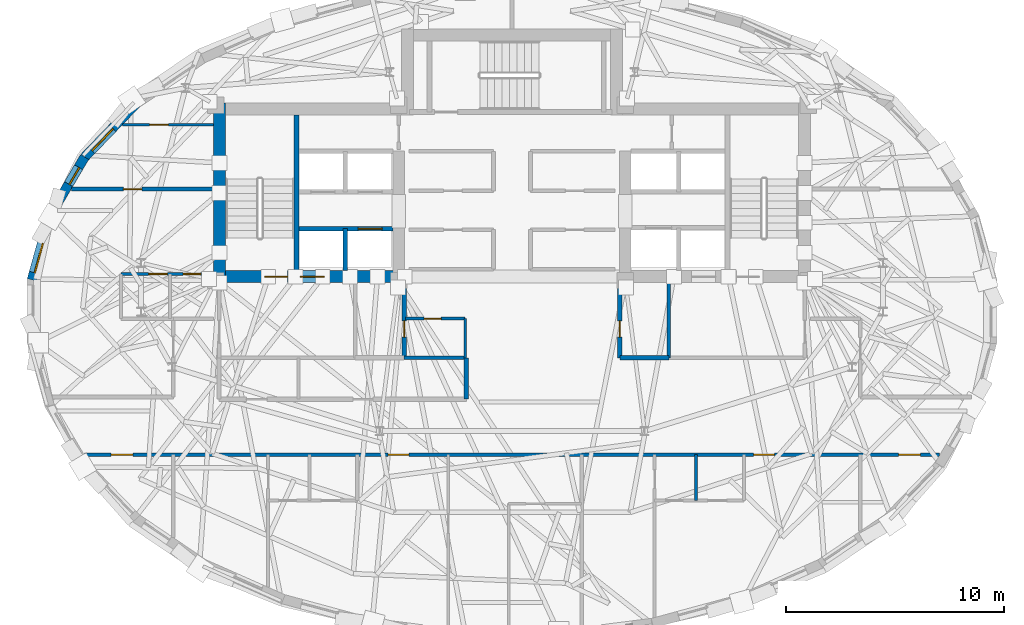
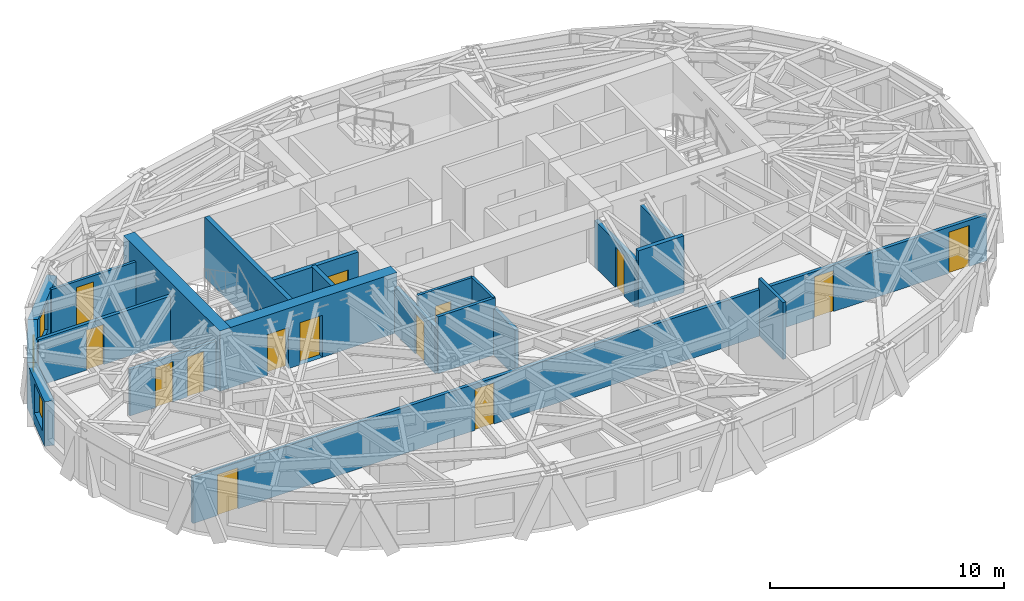
# One storey, part 7 of 13: 21 walls, 14 doors, 3 windows, 17 openings.
"""IFC4 building model written with IfcOpenShell, lengths in metres."""

from ifc_helpers import new_model, si_unit, direction, frame, frame_2d, origin, place, context, subcontext, project, spatial, rectangle, extrude, material, layer, layer_set, type_object, element, fill, save


model = new_model("IFC4")

# Units and contexts
model_context = context("Model", 3, precision=1e-05, world=origin(), true_north=direction((0.0, 1.0)))
body_context = subcontext(model_context, "Body", "Model", "MODEL_VIEW")
ifc_project = project(units=[si_unit("LENGTHUNIT", "METRE"), si_unit("AREAUNIT", "SQUARE_METRE"), si_unit("VOLUMEUNIT", "CUBIC_METRE"), si_unit("PLANEANGLEUNIT", "RADIAN"), si_unit("MASSUNIT", "GRAM", prefix="KILO")], contexts=[model_context])

# Site, building, storey
site_placement = place(None, origin())
site = spatial("IfcSite", under=ifc_project, at=site_placement, CompositionType="ELEMENT")
building_placement = place(site_placement, origin())
building = spatial("IfcBuilding", under=site, at=building_placement, Name="Keldmark Tower", CompositionType="ELEMENT")
storey_placement = place(building_placement, frame((0.0, 0.0, 232.050048828125)))
storey = spatial("IfcBuildingStorey", under=building, at=storey_placement, Name="L65", CompositionType="ELEMENT", Elevation=232.050048828125)

# Walls
ifc_material_1 = material(Name="Heavy Acoustic Plumbing Chase Gypsum Assembly", Category="gypsum")
ifc_layer_1 = layer(ifc_material_1, 0.18994140625)
ifc_layer_set_1 = layer_set([ifc_layer_1], Name="Heavy Acoustic Plumbing Chase Gypsum Assembly")
wall_type_1 = type_object("IfcWallType", Name="Heavy Wet Wall 190 mm", PredefinedType="PLUMBINGWALL", material=ifc_layer_set_1)
wall_1_placement = place(storey_placement, frame((-2.10009765625, -4.050048828125, 0.0), z_axis=(0.0, 0.0, 1.0), x_axis=(0.0, 1.0, 0.0)))
element("IfcWall", 1, at=wall_1_placement, inside=storey, type_object=wall_type_1, Name="L65 Heavy Wet Wall 190 mm SPK-W-E", PredefinedType="PLUMBINGWALL", context=body_context, shape_type="SweptSolid", body=[
    extrude(rectangle(XDim=1.900146484375, YDim=0.18994140625, at=frame_2d((0.9501953125, 0.0))), origin(), (0.0, 0.0, 1.0), 2.4228515625),
])
ifc_material_2 = material(Name="Concrete C50/60", Category="concrete")
ifc_layer_2 = layer(ifc_material_2, 0.550048828125)
ifc_layer_set_2 = layer_set([ifc_layer_2], Name="Concrete C50/60")
wall_type_2 = type_object("IfcWallType", Name="High-Rise Core Shear Wall 550 mm", PredefinedType="SHEAR", material=ifc_layer_set_2)
wall_2_placement = place(storey_placement, frame((-13.425048828125, 1.300048828125, 0.0), z_axis=(0.0, 0.0, 1.0), x_axis=(0.0, 1.0, 0.0)))
element("IfcWall", 2, at=wall_2_placement, inside=storey, type_object=wall_type_2, Name="L65 West Core Outer Shear Wall", PredefinedType="SHEAR", context=body_context, shape_type="SweptSolid", body=[
    extrude(rectangle(XDim=8.25, YDim=0.550048828125, at=frame_2d((4.125, 0.0))), origin(), (0.0, 0.0, 1.0), 3.14990234375),
])

# Wall, openings, doors
wall_3_placement = place(storey_placement, frame((-4.925048828125, 1.574951171875, 0.0), z_axis=(0.0, 0.0, 1.0), x_axis=(-1.0, 0.0, 0.0)))
wall_3 = element("IfcWall", 3, at=wall_3_placement, inside=storey, type_object=wall_type_2, Name="L65 West Core South Shear Wall", PredefinedType="SHEAR", context=body_context, shape_type="SweptSolid", body=[
    extrude(rectangle(XDim=8.77490234375, YDim=0.550048828125, at=frame_2d((4.387451171875, 0.0))), origin(), (0.0, 0.0, 1.0), 3.14990234375),
])
opening_1_placement = place(wall_3_placement, frame((5.375, 0.0, 0.0)))
opening_1 = element("IfcOpeningElement", 4, at=opening_1_placement, cuts=wall_3, Name="Opening D-ST105", PredefinedType="OPENING", context=body_context, shape_type="SweptSolid", body=[
    extrude(rectangle(XDim=1.050048828125, YDim=2.14990234375, at=frame_2d((0.52490234375, 1.074951171875))), frame((0.0, 0.284912109375, 0.0), z_axis=(0.0, -1.0, 0.0), x_axis=(1.0, 0.0, 0.0)), (0.0, 0.0, 1.0), 0.570068359375),
])
opening_2_placement = place(wall_3_placement, frame((3.705078125, 0.0, 0.0)))
opening_2 = element("IfcOpeningElement", 5, at=opening_2_placement, cuts=wall_3, Name="Opening LD-110", PredefinedType="OPENING", context=body_context, shape_type="SweptSolid", body=[
    extrude(rectangle(XDim=1.10009765625, YDim=2.199951171875, at=frame_2d((0.550048828125, 1.10009765625))), frame((0.0, 0.284912109375, 0.0), z_axis=(0.0, -1.0, 0.0), x_axis=(1.0, 0.0, 0.0)), (0.0, 0.0, 1.0), 0.570068359375),
])
ifc_material_3 = material(Name="Brushed Bronze Hoistway Sliding Leaf", Category="metal")
door_type_1 = type_object("IfcDoorType", Name="Lift Landing Sliding Door 1100x2200", OperationType="SLIDING_TO_LEFT", PredefinedType="DOOR", material=ifc_material_3)
door_1_placement = place(opening_2_placement, origin())
door_1 = element("IfcDoor", 6, at=door_1_placement, inside=storey, type_object=door_type_1, Name="L65 Lift Landing Sliding Door 1100x2200 LD-EL-FS1-L65", OperationType="SLIDING_TO_LEFT", OverallHeight=2.199951171875, OverallWidth=1.10009765625, PredefinedType="DOOR", context=body_context, shape_type="SweptSolid", body=[
    extrude(rectangle(XDim=1.10009765625, YDim=2.199951171875, at=frame_2d((0.550048828125, 1.10009765625))), frame((0.0, 0.02490234375, 0.0), z_axis=(0.0, -1.0, 0.0), x_axis=(1.0, 0.0, 0.0)), (0.0, 0.0, 1.0), 0.050048828125),
])
fill(opening_2, door_1)
ifc_material_4 = material(Name="Hollow Metal Fire-Rated Door Assembly", Category="metal")
door_type_2 = type_object("IfcDoorType", Name="Stair Fire Door 1050x2150", OperationType="NOTDEFINED", PredefinedType="DOOR", material=ifc_material_4)
door_2_placement = place(opening_1_placement, origin())
door_2 = element("IfcDoor", 7, at=door_2_placement, inside=storey, type_object=door_type_2, Name="L65 Stair Fire Door 1050x2150 D-ST1-L65", OperationType="SINGLE_SWING_RIGHT", OverallHeight=2.14990234375, OverallWidth=1.050048828125, PredefinedType="DOOR", context=body_context, shape_type="SweptSolid", body=[
    extrude(rectangle(XDim=1.050048828125, YDim=2.14990234375, at=frame_2d((0.52490234375, 1.074951171875))), frame((0.0, 0.02490234375, 0.0), z_axis=(0.0, -1.0, 0.0), x_axis=(1.0, 0.0, 0.0)), (0.0, 0.0, 1.0), 0.050048828125),
])
fill(opening_1, door_2)

# Wall, opening, door
ifc_material_5 = material(Name="Acoustic Gypsum Board Interior Partition", Category="gypsum")
ifc_layer_3 = layer(ifc_material_5, 0.1298828125)
ifc_layer_set_3 = layer_set([ifc_layer_3], Name="Acoustic Gypsum Board Interior Partition")
wall_type_3 = type_object("IfcWallType", Name="Interior Partition 130 mm", PredefinedType="PARTITIONING", material=ifc_layer_set_3)
wall_4_placement = place(storey_placement, frame((-4.8798828125, -0.35009765625, 0.0), z_axis=(0.0, 0.0, 1.0), x_axis=(1.0, 0.0, 0.0)))
wall_4 = element("IfcWall", 8, at=wall_4_placement, inside=storey, type_object=wall_type_3, Name="L65 Interior Partition 130 mm CSC-W-N", PredefinedType="PARTITIONING", context=body_context, shape_type="SweptSolid", body=[
    extrude(rectangle(XDim=2.72998046875, YDim=0.1298828125, at=frame_2d((1.364990234375, 0.0))), origin(), (0.0, 0.0, 1.0), 2.969970703125),
])
opening_3_placement = place(wall_4_placement, frame((0.85009765625, 0.0, 0.0)))
opening_3 = element("IfcOpeningElement", 9, at=opening_3_placement, cuts=wall_4, Name="Opening D-CL078", PredefinedType="OPENING", context=body_context, shape_type="SweptSolid", body=[
    extrude(rectangle(XDim=0.780029296875, YDim=2.10009765625, at=frame_2d((0.39013671875, 1.050048828125))), frame((0.0, 0.074951171875, 0.0), z_axis=(0.0, -1.0, 0.0), x_axis=(1.0, 0.0, 0.0)), (0.0, 0.0, 1.0), 0.14990234375),
])
ifc_material_6 = material(Name="Flush Utility Closet Timber Door", Category="wood")
door_type_3 = type_object("IfcDoorType", Name="Closet Door 780x2100", OperationType="NOTDEFINED", PredefinedType="DOOR", material=ifc_material_6)
door_3_placement = place(opening_3_placement, origin())
door_3 = element("IfcDoor", 10, at=door_3_placement, inside=storey, type_object=door_type_3, Name="L65 Closet Door 780x2100 D-CSCW1-L65", OperationType="SINGLE_SWING_LEFT", OverallHeight=2.10009765625, OverallWidth=0.780029296875, PredefinedType="DOOR", context=body_context, shape_type="SweptSolid", body=[
    extrude(rectangle(XDim=0.780029296875, YDim=2.10009765625, at=frame_2d((0.39013671875, 1.050048828125))), frame((0.0, 0.02490234375, 0.0), z_axis=(0.0, -1.0, 0.0), x_axis=(1.0, 0.0, 0.0)), (0.0, 0.0, 1.0), 0.050048828125),
])
fill(opening_3, door_3)

# Wall
wall_5_placement = place(storey_placement, frame((-2.14990234375, -2.14990234375, 0.0), z_axis=(0.0, 0.0, 1.0), x_axis=(0.0, 1.0, 0.0)))
element("IfcWall", 11, at=wall_5_placement, inside=storey, type_object=wall_type_3, Name="L65 Interior Partition 130 mm CSC-W-E", PredefinedType="PARTITIONING", context=body_context, shape_type="SweptSolid", body=[
    extrude(rectangle(XDim=1.7998046875, YDim=0.1298828125, at=frame_2d((0.89990234375, 0.0))), origin(), (0.0, 0.0, 1.0), 2.969970703125),
])

# Wall, opening, door
wall_6_placement = place(storey_placement, frame((-17.874755859375, 8.550048828125, 0.0), z_axis=(0.0, 0.0, 1.0), x_axis=(1.0, 0.0, 0.0)))
wall_6 = element("IfcWall", 12, at=wall_6_placement, inside=storey, type_object=wall_type_3, Name="L65 Interior Partition 130 mm UC-NDIV2", PredefinedType="PARTITIONING", context=body_context, shape_type="SweptSolid", body=[
    extrude(rectangle(XDim=4.1748046875, YDim=0.1298828125, at=frame_2d((2.08740234375, 0.0))), origin(), (0.0, 0.0, 1.0), 2.4228515625),
])
opening_4_placement = place(wall_6_placement, frame((1.240478515625, 0.0, 0.0)))
opening_4 = element("IfcOpeningElement", 13, at=opening_4_placement, cuts=wall_6, Name="Opening D-IN085", PredefinedType="OPENING", context=body_context, shape_type="SweptSolid", body=[
    extrude(rectangle(XDim=0.85009765625, YDim=2.10009765625, at=frame_2d((0.425048828125, 1.050048828125))), frame((0.0, 0.074951171875, 0.0), z_axis=(0.0, -1.0, 0.0), x_axis=(1.0, 0.0, 0.0)), (0.0, 0.0, 1.0), 0.14990234375),
])
ifc_material_7 = material(Name="Painted Architectural Wood", Category="wood")
door_type_4 = type_object("IfcDoorType", Name="Interior Door 850x2100", OperationType="NOTDEFINED", PredefinedType="DOOR", material=ifc_material_7)
door_4_placement = place(opening_4_placement, origin())
door_4 = element("IfcDoor", 14, at=door_4_placement, inside=storey, type_object=door_type_4, Name="L65 Interior Door 850x2100 D-UC-BR2-L65", OperationType="SINGLE_SWING_RIGHT", OverallHeight=2.10009765625, OverallWidth=0.85009765625, PredefinedType="DOOR", context=body_context, shape_type="SweptSolid", body=[
    extrude(rectangle(XDim=0.85009765625, YDim=2.10009765625, at=frame_2d((0.425048828125, 1.050048828125))), frame((0.0, 0.02490234375, 0.0), z_axis=(0.0, -1.0, 0.0), x_axis=(1.0, 0.0, 0.0)), (0.0, 0.0, 1.0), 0.050048828125),
])
fill(opening_4, door_4)

# Wall
ifc_material_8 = material(Name="Type X Fire-Rated Gypsum Partition Assembly", Category="gypsum")
ifc_layer_4 = layer(ifc_material_8, 0.1650390625)
ifc_layer_set_4 = layer_set([ifc_layer_4], Name="Type X Fire-Rated Gypsum Partition Assembly")
wall_type_4 = type_object("IfcWallType", Name="Rated Partition 165 mm", PredefinedType="PARTITIONING", material=ifc_layer_set_4)
wall_7_placement = place(storey_placement, frame((7.199951171875, -2.14990234375, 0.0), z_axis=(0.0, 0.0, 1.0), x_axis=(0.0, 1.0, 0.0)))
element("IfcWall", 15, at=wall_7_placement, inside=storey, type_object=wall_type_4, Name="L65 Rated Partition 165 mm FSAE-E-W", PredefinedType="PARTITIONING", context=body_context, shape_type="SweptSolid", body=[
    extrude(rectangle(XDim=3.5, YDim=0.1650390625, at=frame_2d((1.75, 0.0))), origin(), (0.0, 0.0, 1.0), 2.4228515625),
])

# Wall, openings, doors
wall_8_placement = place(storey_placement, frame((-19.638427734375, -6.60009765625, 0.0), z_axis=(0.0, 0.0, 1.0), x_axis=(1.0, 0.0, 0.0)))
wall_8 = element("IfcWall", 16, at=wall_8_placement, inside=storey, type_object=wall_type_4, Name="L65 Rated Partition 165 mm RCOR-S", PredefinedType="PARTITIONING", context=body_context, shape_type="SweptSolid", body=[
    extrude(rectangle(XDim=39.27685546875, YDim=0.1650390625, at=frame_2d((19.638427734375, 0.0))), origin(), (0.0, 0.0, 1.0), 2.4228515625),
])
opening_5_placement = place(wall_8_placement, frame((1.228515625, 0.0, 0.0)))
opening_5 = element("IfcOpeningElement", 17, at=opening_5_placement, cuts=wall_8, Name="Opening D-FD100", PredefinedType="OPENING", context=body_context, shape_type="SweptSolid", body=[
    extrude(rectangle(XDim=1.0, YDim=2.14990234375, at=frame_2d((0.5, 1.074951171875))), frame((0.0, 0.092529296875, 0.0), z_axis=(0.0, -1.0, 0.0), x_axis=(1.0, 0.0, 0.0)), (0.0, 0.0, 1.0), 0.18505859375),
])
opening_6_placement = place(wall_8_placement, frame((37.393310546875, 0.0, 0.0)))
opening_6 = element("IfcOpeningElement", 18, at=opening_6_placement, cuts=wall_8, Name="Opening D-FD100", PredefinedType="OPENING", context=body_context, shape_type="SweptSolid", body=[
    extrude(rectangle(XDim=1.0, YDim=2.14990234375, at=frame_2d((0.5, 1.074951171875))), frame((0.0, 0.092529296875, 0.0), z_axis=(0.0, -1.0, 0.0), x_axis=(1.0, 0.0, 0.0)), (0.0, 0.0, 1.0), 0.18505859375),
])
opening_7_placement = place(wall_8_placement, frame((13.948486328125, 0.0, 0.0)))
opening_7 = element("IfcOpeningElement", 19, at=opening_7_placement, cuts=wall_8, Name="Opening D-AP095", PredefinedType="OPENING", context=body_context, shape_type="SweptSolid", body=[
    extrude(rectangle(XDim=0.949951171875, YDim=2.14990234375, at=frame_2d((0.47509765625, 1.074951171875))), frame((0.0, 0.092529296875, 0.0), z_axis=(0.0, -1.0, 0.0), x_axis=(1.0, 0.0, 0.0)), (0.0, 0.0, 1.0), 0.18505859375),
])
opening_8_placement = place(wall_8_placement, frame((30.73828125, 0.0, 0.0)))
opening_8 = element("IfcOpeningElement", 20, at=opening_8_placement, cuts=wall_8, Name="Opening D-AP095", PredefinedType="OPENING", context=body_context, shape_type="SweptSolid", body=[
    extrude(rectangle(XDim=0.949951171875, YDim=2.14990234375, at=frame_2d((0.47509765625, 1.074951171875))), frame((0.0, 0.092529296875, 0.0), z_axis=(0.0, -1.0, 0.0), x_axis=(1.0, 0.0, 0.0)), (0.0, 0.0, 1.0), 0.18505859375),
])
ifc_material_9 = material(Name="Solid-Core Walnut Fire-Rated Entry Assembly", Category="wood")
door_type_5 = type_object("IfcDoorType", Name="Apartment Entry Door 950x2150", OperationType="NOTDEFINED", PredefinedType="DOOR", material=ifc_material_9)
door_5_placement = place(opening_7_placement, origin())
door_5 = element("IfcDoor", 21, at=door_5_placement, inside=storey, type_object=door_type_5, Name="L65 Apartment Entry Door 950x2150 D-UA-ENT-L65", OperationType="SINGLE_SWING_RIGHT", OverallHeight=2.14990234375, OverallWidth=0.949951171875, PredefinedType="DOOR", context=body_context, shape_type="SweptSolid", body=[
    extrude(rectangle(XDim=0.949951171875, YDim=2.14990234375, at=frame_2d((0.47509765625, 1.074951171875))), frame((0.0, 0.02490234375, 0.0), z_axis=(0.0, -1.0, 0.0), x_axis=(1.0, 0.0, 0.0)), (0.0, 0.0, 1.0), 0.050048828125),
])
fill(opening_7, door_5)
door_6_placement = place(opening_8_placement, origin())
door_6 = element("IfcDoor", 22, at=door_6_placement, inside=storey, type_object=door_type_5, Name="L65 Apartment Entry Door 950x2150 D-UB-ENT-L65", OperationType="SINGLE_SWING_LEFT", OverallHeight=2.14990234375, OverallWidth=0.949951171875, PredefinedType="DOOR", context=body_context, shape_type="SweptSolid", body=[
    extrude(rectangle(XDim=0.949951171875, YDim=2.14990234375, at=frame_2d((0.47509765625, 1.074951171875))), frame((0.0, 0.02490234375, 0.0), z_axis=(0.0, -1.0, 0.0), x_axis=(1.0, 0.0, 0.0)), (0.0, 0.0, 1.0), 0.050048828125),
])
fill(opening_8, door_6)
ifc_material_10 = material(Name="Hollow Metal Fire-Rated Corridor Door", Category="metal")
door_type_6 = type_object("IfcDoorType", Name="Fire Door 1000x2150", OperationType="NOTDEFINED", PredefinedType="DOOR", material=ifc_material_10)
door_7_placement = place(opening_5_placement, origin())
door_7 = element("IfcDoor", 23, at=door_7_placement, inside=storey, type_object=door_type_6, Name="L65 Fire Door 1000x2150 D-RSCW-L65", OperationType="SINGLE_SWING_LEFT", OverallHeight=2.14990234375, OverallWidth=1.0, PredefinedType="DOOR", context=body_context, shape_type="SweptSolid", body=[
    extrude(rectangle(XDim=1.0, YDim=2.14990234375, at=frame_2d((0.5, 1.074951171875))), frame((0.0, 0.02490234375, 0.0), z_axis=(0.0, -1.0, 0.0), x_axis=(1.0, 0.0, 0.0)), (0.0, 0.0, 1.0), 0.050048828125),
])
fill(opening_5, door_7)
door_8_placement = place(opening_6_placement, origin())
door_8 = element("IfcDoor", 24, at=door_8_placement, inside=storey, type_object=door_type_6, Name="L65 Fire Door 1000x2150 D-RSCE-L65", OperationType="SINGLE_SWING_LEFT", OverallHeight=2.14990234375, OverallWidth=1.0, PredefinedType="DOOR", context=body_context, shape_type="SweptSolid", body=[
    extrude(rectangle(XDim=1.0, YDim=2.14990234375, at=frame_2d((0.5, 1.074951171875))), frame((0.0, 0.02490234375, 0.0), z_axis=(0.0, -1.0, 0.0), x_axis=(1.0, 0.0, 0.0)), (0.0, 0.0, 1.0), 0.050048828125),
])
fill(opening_6, door_8)

# Wall, opening, door
wall_9_placement = place(storey_placement, frame((-20.22705078125, 5.60009765625, 0.0), z_axis=(0.0, 0.0, 1.0), x_axis=(1.0, 0.0, 0.0)))
wall_9 = element("IfcWall", 25, at=wall_9_placement, inside=storey, type_object=wall_type_4, Name="L65 Rated Partition 165 mm RW-NDIV", PredefinedType="PARTITIONING", context=body_context, shape_type="SweptSolid", body=[
    extrude(rectangle(XDim=6.527099609375, YDim=0.1650390625, at=frame_2d((3.263671875, 0.0))), origin(), (0.0, 0.0, 1.0), 2.4228515625),
])
opening_9_placement = place(wall_9_placement, frame((2.37744140625, 0.0, 0.0)))
opening_9 = element("IfcOpeningElement", 26, at=opening_9_placement, cuts=wall_9, Name="Opening D-BR085", PredefinedType="OPENING", context=body_context, shape_type="SweptSolid", body=[
    extrude(rectangle(XDim=0.85009765625, YDim=2.10009765625, at=frame_2d((0.425048828125, 1.050048828125))), frame((0.0, 0.092529296875, 0.0), z_axis=(0.0, -1.0, 0.0), x_axis=(1.0, 0.0, 0.0)), (0.0, 0.0, 1.0), 0.18505859375),
])
ifc_material_11 = material(Name="Solid-Core Stained Walnut Wood", Category="wood")
door_type_7 = type_object("IfcDoorType", Name="Bedroom Door 850x2100", OperationType="NOTDEFINED", PredefinedType="DOOR", material=ifc_material_11)
door_9_placement = place(opening_9_placement, origin())
door_9 = element("IfcDoor", 27, at=door_9_placement, inside=storey, type_object=door_type_7, Name="L65 Bedroom Door 850x2100 D-UC-BR1-L65", OperationType="SINGLE_SWING_LEFT", OverallHeight=2.10009765625, OverallWidth=0.85009765625, PredefinedType="DOOR", context=body_context, shape_type="SweptSolid", body=[
    extrude(rectangle(XDim=0.85009765625, YDim=2.10009765625, at=frame_2d((0.425048828125, 1.050048828125))), frame((0.0, 0.02490234375, 0.0), z_axis=(0.0, -1.0, 0.0), x_axis=(1.0, 0.0, 0.0)), (0.0, 0.0, 1.0), 0.050048828125),
])
fill(opening_9, door_9)

ifc_material_12 = material(Name="Fire-Resistant Type X Gypsum Shaftliner Coreboard", Category="gypsum")
ifc_layer_5 = layer(ifc_material_12, 0.199951171875)
ifc_layer_set_5 = layer_set([ifc_layer_5], Name="Fire-Resistant Type X Gypsum Shaftliner Coreboard")
wall_type_5 = type_object("IfcWallType", Name="Shaft Wall 200 mm", PredefinedType="SOLIDWALL", material=ifc_layer_set_5)
wall_10_placement = place(storey_placement, frame((-4.949951171875, -2.14990234375, 0.0), z_axis=(0.0, 0.0, 1.0), x_axis=(0.0, 1.0, 0.0)))
wall_10 = element("IfcWall", 28, at=wall_10_placement, inside=storey, type_object=wall_type_5, Name="L65 Shaft Wall 200 mm RIS-SW-E", PredefinedType="SOLIDWALL", context=body_context, shape_type="SweptSolid", body=[
    extrude(rectangle(XDim=3.5, YDim=0.199951171875, at=frame_2d((1.75, 0.0))), origin(), (0.0, 0.0, 1.0), 2.4228515625),
])
opening_10_placement = place(wall_10_placement, frame((0.949951171875, 0.0, 0.0)))
opening_10 = element("IfcOpeningElement", 29, at=opening_10_placement, cuts=wall_10, Name="Opening D-RS075", PredefinedType="OPENING", context=body_context, shape_type="SweptSolid", body=[
    extrude(rectangle(XDim=0.75, YDim=2.10009765625, at=frame_2d((0.375, 1.050048828125))), frame((0.0, 0.10986328125, 0.0), z_axis=(0.0, -1.0, 0.0), x_axis=(1.0, 0.0, 0.0)), (0.0, 0.0, 1.0), 0.219970703125),
])
ifc_material_13 = material(Name="Galvanized Fire-Rated Access Leaf", Category="metal")
door_type_8 = type_object("IfcDoorType", Name="Riser Access Door 750x2100", OperationType="NOTDEFINED", PredefinedType="DOOR", material=ifc_material_13)
door_10_placement = place(opening_10_placement, origin())
door_10 = element("IfcDoor", 30, at=door_10_placement, inside=storey, type_object=door_type_8, Name="L65 Riser Access Door 750x2100 D-RISSW-L65", OperationType="SINGLE_SWING_RIGHT", OverallHeight=2.10009765625, OverallWidth=0.75, PredefinedType="DOOR", context=body_context, shape_type="SweptSolid", body=[
    extrude(rectangle(XDim=0.75, YDim=2.10009765625, at=frame_2d((0.375, 1.050048828125))), frame((0.0, 0.02490234375, 0.0), z_axis=(0.0, -1.0, 0.0), x_axis=(1.0, 0.0, 0.0)), (0.0, 0.0, 1.0), 0.050048828125),
])
fill(opening_10, door_10)

# Wall
wall_11_placement = place(storey_placement, frame((4.949951171875, -2.14990234375, 0.0), z_axis=(0.0, 0.0, 1.0), x_axis=(1.0, 0.0, 0.0)))
element("IfcWall", 31, at=wall_11_placement, inside=storey, type_object=wall_type_5, Name="L65 Shaft Wall 200 mm RIS-SE-S", PredefinedType="SOLIDWALL", context=body_context, shape_type="SweptSolid", body=[
    extrude(rectangle(XDim=2.25, YDim=0.199951171875, at=frame_2d((1.125, 0.0))), origin(), (0.0, 0.0, 1.0), 2.969970703125),
])

# Wall, opening, door
wall_12_placement = place(storey_placement, frame((4.949951171875, -2.14990234375, 0.0), z_axis=(0.0, 0.0, 1.0), x_axis=(0.0, 1.0, 0.0)))
wall_12 = element("IfcWall", 32, at=wall_12_placement, inside=storey, type_object=wall_type_5, Name="L65 Shaft Wall 200 mm RIS-SE-W", PredefinedType="SOLIDWALL", context=body_context, shape_type="SweptSolid", body=[
    extrude(rectangle(XDim=3.5, YDim=0.199951171875, at=frame_2d((1.75, 0.0))), origin(), (0.0, 0.0, 1.0), 2.4228515625),
])
opening_11_placement = place(wall_12_placement, frame((0.949951171875, 0.0, 0.0)))
opening_11 = element("IfcOpeningElement", 33, at=opening_11_placement, cuts=wall_12, Name="Opening D-RS075", PredefinedType="OPENING", context=body_context, shape_type="SweptSolid", body=[
    extrude(rectangle(XDim=0.75, YDim=2.10009765625, at=frame_2d((0.375, 1.050048828125))), frame((0.0, 0.10986328125, 0.0), z_axis=(0.0, -1.0, 0.0), x_axis=(1.0, 0.0, 0.0)), (0.0, 0.0, 1.0), 0.219970703125),
])
door_11_placement = place(opening_11_placement, origin())
door_11 = element("IfcDoor", 34, at=door_11_placement, inside=storey, type_object=door_type_8, Name="L65 Riser Access Door 750x2100 D-RISSE-L65", OperationType="SINGLE_SWING_LEFT", OverallHeight=2.10009765625, OverallWidth=0.75, PredefinedType="DOOR", context=body_context, shape_type="SweptSolid", body=[
    extrude(rectangle(XDim=0.75, YDim=2.10009765625, at=frame_2d((0.375, 1.050048828125))), frame((0.0, 0.02490234375, 0.0), z_axis=(0.0, -1.0, 0.0), x_axis=(1.0, 0.0, 0.0)), (0.0, 0.0, 1.0), 0.050048828125),
])
fill(opening_11, door_11)

wall_13_placement = place(storey_placement, frame((-9.780029296875, 3.780029296875, 0.0), z_axis=(0.0, 0.0, 1.0), x_axis=(1.0, 0.0, 0.0)))
wall_13 = element("IfcWall", 35, at=wall_13_placement, inside=storey, type_object=wall_type_5, Name="L65 Shaft Wall 200 mm HW-W-S", PredefinedType="SOLIDWALL", context=body_context, shape_type="SweptSolid", body=[
    extrude(rectangle(XDim=4.304931640625, YDim=0.199951171875, at=frame_2d((2.15234375, 0.0))), origin(), (0.0, 0.0, 1.0), 2.969970703125),
])
opening_12_placement = place(wall_13_placement, frame((2.719970703125, 0.0, 0.0)))
opening_12 = element("IfcOpeningElement", 36, at=opening_12_placement, cuts=wall_13, Name="Opening LD-110", PredefinedType="OPENING", context=body_context, shape_type="SweptSolid", body=[
    extrude(rectangle(XDim=1.10009765625, YDim=2.199951171875, at=frame_2d((0.550048828125, 1.10009765625))), frame((0.0, 0.10986328125, 0.0), z_axis=(0.0, -1.0, 0.0), x_axis=(1.0, 0.0, 0.0)), (0.0, 0.0, 1.0), 0.219970703125),
])
door_12_placement = place(opening_12_placement, origin())
door_12 = element("IfcDoor", 37, at=door_12_placement, inside=storey, type_object=door_type_1, Name="L65 Lift Landing Sliding Door 1100x2200 LD-EL-H3-L65", OperationType="SLIDING_TO_LEFT", OverallHeight=2.199951171875, OverallWidth=1.10009765625, PredefinedType="DOOR", context=body_context, shape_type="SweptSolid", body=[
    extrude(rectangle(XDim=1.10009765625, YDim=2.199951171875, at=frame_2d((0.550048828125, 1.10009765625))), frame((0.0, 0.02490234375, 0.0), z_axis=(0.0, -1.0, 0.0), x_axis=(1.0, 0.0, 0.0)), (0.0, 0.0, 1.0), 0.050048828125),
])
fill(opening_12, door_12)

# Walls
wall_14_placement = place(storey_placement, frame((-7.64990234375, 1.85009765625, 0.0), z_axis=(0.0, 0.0, 1.0), x_axis=(0.0, 1.0, 0.0)))
element("IfcWall", 38, at=wall_14_placement, inside=storey, type_object=wall_type_5, Name="L65 Shaft Wall 200 mm HW-W-M", PredefinedType="SOLIDWALL", context=body_context, shape_type="SweptSolid", body=[
    extrude(rectangle(XDim=1.929931640625, YDim=0.199951171875, at=frame_2d((0.96484375, 0.0))), origin(), (0.0, 0.0, 1.0), 2.969970703125),
])
ifc_material_14 = material(Name="Concrete C50/60", Category="concrete")
ifc_layer_6 = layer(ifc_material_14, 0.219970703125)
ifc_layer_set_6 = layer_set([ifc_layer_6], Name="Concrete C50/60")
wall_type_6 = type_object("IfcWallType", Name="Stair Core Shear Wall 220 mm", PredefinedType="SHEAR", material=ifc_layer_set_6)
wall_15_placement = place(storey_placement, frame((-9.889892578125, 1.85009765625, 0.0), z_axis=(0.0, 0.0, 1.0), x_axis=(0.0, 1.0, 0.0)))
element("IfcWall", 39, at=wall_15_placement, inside=storey, type_object=wall_type_6, Name="L65 West Stair Core Shear Wall", PredefinedType="SHEAR", context=body_context, shape_type="SweptSolid", body=[
    extrude(rectangle(XDim=7.14990234375, YDim=0.219970703125, at=frame_2d((3.574951171875, 0.0))), origin(), (0.0, 0.0, 1.0), 3.14990234375),
])

# Wall, opening, window
ifc_material_15 = material(Name="Ironspot Manganese Brick and Kasota Buff Limestone Spandrel Assembly", Category="masonry")
ifc_layer_7 = layer(ifc_material_15, 0.43994140625)
ifc_layer_set_7 = layer_set([ifc_layer_7], Name="Ironspot Manganese Brick and Kasota Buff Limestone Spandrel Assembly")
wall_type_7 = type_object("IfcWallType", Name="Tower Brick Pier and Spandrel Wall 440 mm", PredefinedType="STANDARD", material=ifc_layer_set_7)
wall_16_placement = place(storey_placement, frame((-19.656982421875, 7.02978515625, 0.0), z_axis=(0.0, 0.0, 1.0), x_axis=(0.694030285144, 0.71994580581, 0.0)))
wall_16 = element("IfcWall", 40, at=wall_16_placement, inside=storey, type_object=wall_type_7, Name="L65 Exterior Brick and Spandrel Wall 13", PredefinedType="STANDARD", context=body_context, shape_type="SweptSolid", body=[
    extrude(rectangle(XDim=3.476318359375, YDim=0.43994140625, at=frame_2d((1.73828125, 0.0))), origin(), (0.0, 0.0, 1.0), 2.3359375),
])
opening_13_placement = place(wall_16_placement, frame((0.495849609375, 0.0, 0.580078125)))
opening_13 = element("IfcOpeningElement", 41, at=opening_13_placement, cuts=wall_16, Name="Opening W-08", PredefinedType="OPENING", context=body_context, shape_type="SweptSolid", body=[
    extrude(rectangle(XDim=1.39990234375, YDim=1.550048828125, at=frame_2d((0.699951171875, 0.77490234375))), frame((0.0, 0.22998046875, 0.0), z_axis=(0.0, -1.0, 0.0), x_axis=(1.0, 0.0, 0.0)), (0.0, 0.0, 1.0), 0.4599609375),
])
ifc_material_16 = material(Name="Thermally Broken Anodized Aluminum and Triple Low-E Argon Glazing", Category="aluminium")
window_type_1 = type_object("IfcWindowType", Name="Residential Corner Punched Window 1400x1550", PartitioningType="SINGLE_PANEL", PredefinedType="WINDOW", material=ifc_material_16)
window_1_placement = place(opening_13_placement, origin())
window_1 = element("IfcWindow", 42, at=window_1_placement, inside=storey, type_object=window_type_1, Name="L65 Deep-Set Window 13", OverallHeight=1.550048828125, OverallWidth=1.39990234375, PartitioningType="SINGLE_PANEL", PredefinedType="WINDOW", context=body_context, shape_type="SweptSolid", body=[
    extrude(rectangle(XDim=1.39990234375, YDim=1.550048828125, at=frame_2d((0.699951171875, 0.77490234375))), frame((0.0, -0.010009765625, 0.0), z_axis=(0.0, -1.0, 0.0), x_axis=(1.0, 0.0, 0.0)), (0.0, 0.0, 1.0), 0.06005859375),
])
fill(opening_13, window_1)

wall_17_placement = place(storey_placement, frame((-21.2568359375, 4.300048828125, 0.0), z_axis=(0.0, 0.0, 1.0), x_axis=(0.507308799926, 0.861764342218, 0.0)))
wall_17 = element("IfcWall", 43, at=wall_17_placement, inside=storey, type_object=wall_type_7, Name="L65 Exterior Brick and Spandrel Wall 14", PredefinedType="STANDARD", context=body_context, shape_type="SweptSolid", body=[
    extrude(rectangle(XDim=3.215087890625, YDim=0.43994140625, at=frame_2d((1.607421875, 0.0))), origin(), (0.0, 0.0, 1.0), 2.3359375),
])
opening_14_placement = place(wall_17_placement, frame((1.771484375, 0.0, 0.580078125)))
opening_14 = element("IfcOpeningElement", 44, at=opening_14_placement, cuts=wall_17, Name="Opening W-09", PredefinedType="OPENING", context=body_context, shape_type="SweptSolid", body=[
    extrude(rectangle(XDim=0.89990234375, YDim=1.35009765625, at=frame_2d((0.449951171875, 0.675048828125))), frame((0.0, 0.22998046875, 0.0), z_axis=(0.0, -1.0, 0.0), x_axis=(1.0, 0.0, 0.0)), (0.0, 0.0, 1.0), 0.4599609375),
])
ifc_material_17 = material(Name="Thermally Broken Anodized Aluminum and Triple Low-E Argon Glazing", Category="aluminium")
window_type_2 = type_object("IfcWindowType", Name="Corner Pier Deep-Set Window 900x1350", PartitioningType="SINGLE_PANEL", PredefinedType="WINDOW", material=ifc_material_17)
window_2_placement = place(opening_14_placement, origin())
window_2 = element("IfcWindow", 45, at=window_2_placement, inside=storey, type_object=window_type_2, Name="L65 Deep-Set Window 14", OverallHeight=1.35009765625, OverallWidth=0.89990234375, PartitioningType="SINGLE_PANEL", PredefinedType="WINDOW", context=body_context, shape_type="SweptSolid", body=[
    extrude(rectangle(XDim=0.89990234375, YDim=1.35009765625, at=frame_2d((0.449951171875, 0.675048828125))), frame((0.0, -0.010009765625, 0.0), z_axis=(0.0, -1.0, 0.0), x_axis=(1.0, 0.0, 0.0)), (0.0, 0.0, 1.0), 0.06005859375),
])
fill(opening_14, window_2)

wall_18_placement = place(storey_placement, frame((-22.04736328125, 1.427734375, 0.0), z_axis=(0.0, 0.0, 1.0), x_axis=(0.267714373586, 0.963498320795, 0.0)))
wall_18 = element("IfcWall", 46, at=wall_18_placement, inside=storey, type_object=wall_type_7, Name="L65 Exterior Brick and Spandrel Wall 15", PredefinedType="STANDARD", context=body_context, shape_type="SweptSolid", body=[
    extrude(rectangle(XDim=3.035888671875, YDim=0.43994140625, at=frame_2d((1.51806640625, 0.0))), origin(), (0.0, 0.0, 1.0), 2.3359375),
])
opening_15_placement = place(wall_18_placement, frame((0.348388671875, 0.0, 0.580078125)))
opening_15 = element("IfcOpeningElement", 47, at=opening_15_placement, cuts=wall_18, Name="Opening W-08", PredefinedType="OPENING", context=body_context, shape_type="SweptSolid", body=[
    extrude(rectangle(XDim=1.39990234375, YDim=1.550048828125, at=frame_2d((0.699951171875, 0.77490234375))), frame((0.0, 0.22998046875, 0.0), z_axis=(0.0, -1.0, 0.0), x_axis=(1.0, 0.0, 0.0)), (0.0, 0.0, 1.0), 0.4599609375),
])
window_3_placement = place(opening_15_placement, origin())
window_3 = element("IfcWindow", 48, at=window_3_placement, inside=storey, type_object=window_type_1, Name="L65 Deep-Set Window 15", OverallHeight=1.550048828125, OverallWidth=1.39990234375, PartitioningType="SINGLE_PANEL", PredefinedType="WINDOW", context=body_context, shape_type="SweptSolid", body=[
    extrude(rectangle(XDim=1.39990234375, YDim=1.550048828125, at=frame_2d((0.699951171875, 0.77490234375))), frame((0.0, -0.010009765625, 0.0), z_axis=(0.0, -1.0, 0.0), x_axis=(1.0, 0.0, 0.0)), (0.0, 0.0, 1.0), 0.06005859375),
])
fill(opening_15, window_3)

# Walls
ifc_material_18 = material(Name="Moisture-Resistant Gypsum Plumbing Partition", Category="gypsum")
ifc_layer_8 = layer(ifc_material_18, 0.14990234375)
ifc_layer_set_8 = layer_set([ifc_layer_8], Name="Moisture-Resistant Gypsum Plumbing Partition")
wall_type_8 = type_object("IfcWallType", Name="Wet Wall 150 mm", PredefinedType="PLUMBINGWALL", material=ifc_layer_set_8)
wall_19_placement = place(storey_placement, frame((-4.949951171875, -2.14990234375, 0.0), z_axis=(0.0, 0.0, 1.0), x_axis=(1.0, 0.0, 0.0)))
element("IfcWall", 49, at=wall_19_placement, inside=storey, type_object=wall_type_8, Name="L65 Wet Wall 150 mm SPK-W-N", PredefinedType="PLUMBINGWALL", context=body_context, shape_type="SweptSolid", body=[
    extrude(rectangle(XDim=2.849853515625, YDim=0.14990234375, at=frame_2d((1.4248046875, 0.0))), origin(), (0.0, 0.0, 1.0), 2.969970703125),
])
wall_20_placement = place(storey_placement, frame((8.449951171875, -8.699951171875, 0.0), z_axis=(0.0, 0.0, 1.0), x_axis=(0.0, 1.0, 0.0)))
element("IfcWall", 50, at=wall_20_placement, inside=storey, type_object=wall_type_8, Name="L65 Wet Wall 150 mm UB-BK-M", PredefinedType="PLUMBINGWALL", context=body_context, shape_type="SweptSolid", body=[
    extrude(rectangle(XDim=2.099853515625, YDim=0.14990234375, at=frame_2d((1.0498046875, 0.0))), origin(), (0.0, 0.0, 1.0), 2.969970703125),
])

# Wall, openings, doors
wall_21_placement = place(storey_placement, frame((-17.949951171875, 1.699951171875, 0.0), z_axis=(0.0, 0.0, 1.0), x_axis=(1.0, 0.0, 0.0)))
wall_21 = element("IfcWall", 51, at=wall_21_placement, inside=storey, type_object=wall_type_8, Name="L65 Wet Wall 150 mm UC-BK-N", PredefinedType="PLUMBINGWALL", context=body_context, shape_type="SweptSolid", body=[
    extrude(rectangle(XDim=4.25, YDim=0.14990234375, at=frame_2d((2.125, 0.0))), origin(), (0.0, 0.0, 1.0), 2.4228515625),
])
opening_16_placement = place(wall_21_placement, frame((2.85009765625, 0.0, 0.0)))
opening_16 = element("IfcOpeningElement", 52, at=opening_16_placement, cuts=wall_21, Name="Opening D-BT080", PredefinedType="OPENING", context=body_context, shape_type="SweptSolid", body=[
    extrude(rectangle(XDim=0.800048828125, YDim=2.10009765625, at=frame_2d((0.39990234375, 1.050048828125))), frame((0.0, 0.0849609375, 0.0), z_axis=(0.0, -1.0, 0.0), x_axis=(1.0, 0.0, 0.0)), (0.0, 0.0, 1.0), 0.169921875),
])
opening_17_placement = place(wall_21_placement, frame((1.27001953125, 0.0, 0.0)))
opening_17 = element("IfcOpeningElement", 53, at=opening_17_placement, cuts=wall_21, Name="Opening D-IN085", PredefinedType="OPENING", context=body_context, shape_type="SweptSolid", body=[
    extrude(rectangle(XDim=0.85009765625, YDim=2.10009765625, at=frame_2d((0.425048828125, 1.050048828125))), frame((0.0, 0.0849609375, 0.0), z_axis=(0.0, -1.0, 0.0), x_axis=(1.0, 0.0, 0.0)), (0.0, 0.0, 1.0), 0.169921875),
])
ifc_material_19 = material(Name="Moisture-Sealed Stained Wood", Category="wood")
door_type_9 = type_object("IfcDoorType", Name="Bathroom Door 800x2100", OperationType="NOTDEFINED", PredefinedType="DOOR", material=ifc_material_19)
door_13_placement = place(opening_16_placement, origin())
door_13 = element("IfcDoor", 54, at=door_13_placement, inside=storey, type_object=door_type_9, Name="L65 Bathroom Door 800x2100 D-UC-BATH-L65", OperationType="SINGLE_SWING_LEFT", OverallHeight=2.10009765625, OverallWidth=0.800048828125, PredefinedType="DOOR", context=body_context, shape_type="SweptSolid", body=[
    extrude(rectangle(XDim=0.800048828125, YDim=2.10009765625, at=frame_2d((0.39990234375, 1.050048828125))), frame((0.0, 0.02490234375, 0.0), z_axis=(0.0, -1.0, 0.0), x_axis=(1.0, 0.0, 0.0)), (0.0, 0.0, 1.0), 0.050048828125),
])
fill(opening_16, door_13)
door_14_placement = place(opening_17_placement, origin())
door_14 = element("IfcDoor", 55, at=door_14_placement, inside=storey, type_object=door_type_4, Name="L65 Interior Door 850x2100 D-UC-KIT-L65", OperationType="SINGLE_SWING_RIGHT", OverallHeight=2.10009765625, OverallWidth=0.85009765625, PredefinedType="DOOR", context=body_context, shape_type="SweptSolid", body=[
    extrude(rectangle(XDim=0.85009765625, YDim=2.10009765625, at=frame_2d((0.425048828125, 1.050048828125))), frame((0.0, 0.02490234375, 0.0), z_axis=(0.0, -1.0, 0.0), x_axis=(1.0, 0.0, 0.0)), (0.0, 0.0, 1.0), 0.050048828125),
])
fill(opening_17, door_14)

save(model, "model.ifc")
